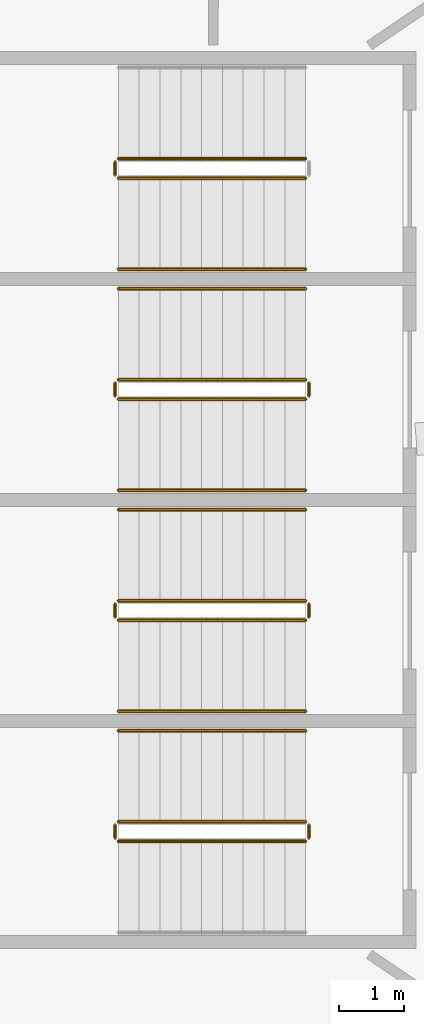
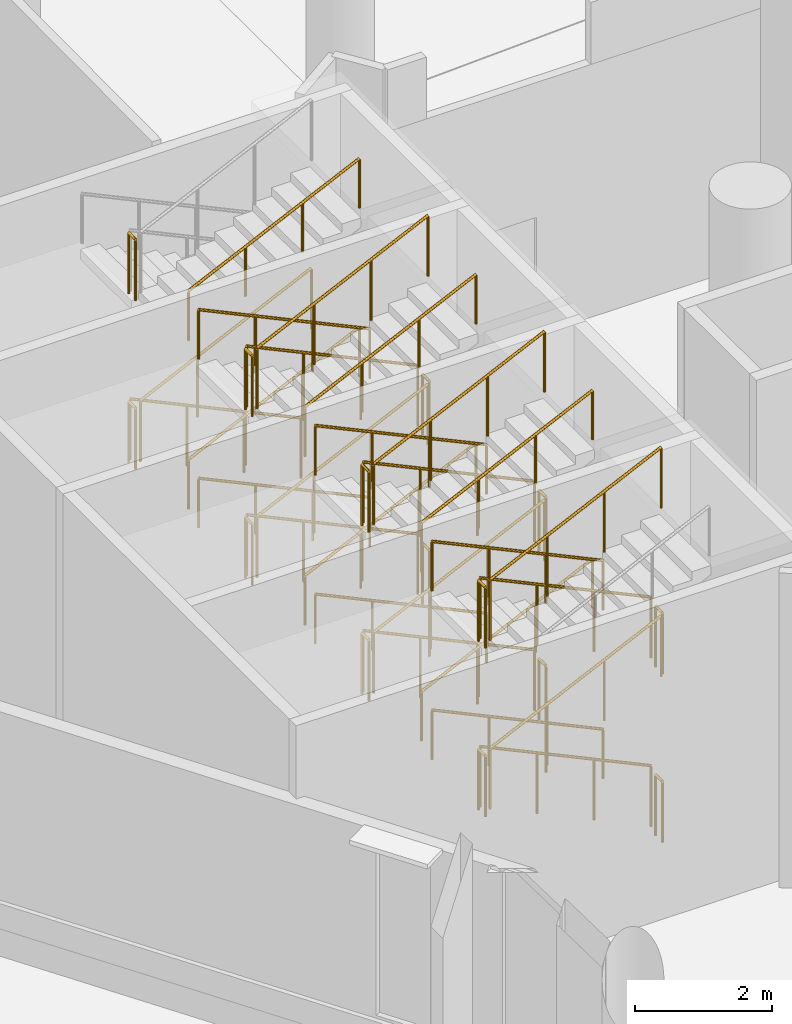
# One storey, part 121 of 173: 40 railings.
"""IFC4 building model written with IfcOpenShell, lengths in metres."""

from ifc_helpers import new_model, si_unit, direction, frame, origin, origin_2d, place, context, subcontext, project, spatial, circle, extrude, material, type_object, element, save


model = new_model("IFC4")

# Units and contexts
model_context = context("Model", 3, precision=1e-05, world=origin(), true_north=direction((0.0, 1.0)))
body_context = subcontext(model_context, "Body", "Model", "MODEL_VIEW")
ifc_project = project(units=[si_unit("LENGTHUNIT", "METRE"), si_unit("AREAUNIT", "SQUARE_METRE"), si_unit("VOLUMEUNIT", "CUBIC_METRE"), si_unit("PLANEANGLEUNIT", "RADIAN"), si_unit("MASSUNIT", "GRAM", prefix="KILO")], contexts=[model_context])

# Site, building, storey
site_placement = place(None, origin())
site = spatial("IfcSite", under=ifc_project, at=site_placement, CompositionType="ELEMENT")
building_placement = place(site_placement, origin())
building = spatial("IfcBuilding", under=site, at=building_placement, Name="Meseta Stadium", CompositionType="ELEMENT")
storey_placement = place(building_placement, frame((0.0, 0.0, 18.0)))
storey = spatial("IfcBuildingStorey", under=building, at=storey_placement, Name="L03", CompositionType="ELEMENT", Elevation=18.0)

# Railings
ifc_material_1 = material(Name="Steel S355", Category="steel")
railing_type_1 = type_object("IfcRailingType", Name="Stair guard 1100", PredefinedType="GUARDRAIL", material=ifc_material_1)
railing_1_placement = place(storey_placement, frame((-90.10009765625, -38.5, 0.14990234375)))
element("IfcRailing", 1, at=railing_1_placement, inside=storey, type_object=railing_type_1, Name="ST73 L03 guard 1", PredefinedType="GUARDRAIL", context=body_context, shape_type="SweptSolid", body=[
    extrude(circle(Radius=0.02392578125, at=origin_2d()), frame((0.0, 0.0, 1.076171875), z_axis=(-0.905440498372, 0.0, 0.424473207528), x_axis=(0.0, -1.0, 0.0)), (0.0, 0.0, 1.0), 3.1806640625),
    extrude(circle(Radius=0.02099609375, at=origin_2d()), origin(), (0.0, 0.0, 1.0), 1.052001953125),
    extrude(circle(Radius=0.02099609375, at=origin_2d()), frame((-0.9599609375, 0.0, 0.449951171875)), (0.0, 0.0, 1.0), 1.052001953125),
    extrude(circle(Radius=0.02099609375, at=origin_2d()), frame((-1.919921875, 0.0, 0.900146484375)), (0.0, 0.0, 1.0), 1.052001953125),
    extrude(circle(Radius=0.02099609375, at=origin_2d()), frame((-2.8798828125, 0.0, 1.35009765625)), (0.0, 0.0, 1.0), 1.052001953125),
])
railing_2_placement = place(storey_placement, frame((-93.030029296875, -38.550048828125, 1.5)))
element("IfcRailing", 2, at=railing_2_placement, inside=storey, type_object=railing_type_1, Name="ST73 L03 guard 2", PredefinedType="GUARDRAIL", context=body_context, shape_type="SweptSolid", body=[
    extrude(circle(Radius=0.02392578125, at=origin_2d()), frame((0.0, 0.0, 1.076171875), z_axis=(0.0, -1.0, 0.0), x_axis=(1.0, 0.0, 0.0)), (0.0, 0.0, 1.0), 0.199951171875),
    extrude(circle(Radius=0.02099609375, at=origin_2d()), origin(), (0.0, 0.0, 1.0), 1.052001953125),
    extrude(circle(Radius=0.02099609375, at=origin_2d()), frame((0.0, -0.199951171875, 0.0)), (0.0, 0.0, 1.0), 1.052001953125),
])
railing_3_placement = place(storey_placement, frame((-92.97998046875, -38.800048828125, 1.64990234375)))
element("IfcRailing", 3, at=railing_3_placement, inside=storey, type_object=railing_type_1, Name="ST73 L03 guard 3", PredefinedType="GUARDRAIL", context=body_context, shape_type="SweptSolid", body=[
    extrude(circle(Radius=0.02392578125, at=origin_2d()), frame((0.0, 0.0, 1.076171875), z_axis=(0.905440498372, 0.0, 0.424473207528), x_axis=(0.0, 1.0, 0.0)), (0.0, 0.0, 1.0), 3.1806640625),
    extrude(circle(Radius=0.02099609375, at=origin_2d()), origin(), (0.0, 0.0, 1.0), 1.052001953125),
    extrude(circle(Radius=0.02099609375, at=origin_2d()), frame((0.9599609375, 0.0, 0.449951171875)), (0.0, 0.0, 1.0), 1.052001953125),
    extrude(circle(Radius=0.02099609375, at=origin_2d()), frame((1.919921875, 0.0, 0.900146484375)), (0.0, 0.0, 1.0), 1.052001953125),
    extrude(circle(Radius=0.02099609375, at=origin_2d()), frame((2.8798828125, 0.0, 1.35009765625)), (0.0, 0.0, 1.0), 1.052001953125),
])
railing_4_placement = place(storey_placement, frame((-93.030029296875, -38.550048828125, 4.5)))
element("IfcRailing", 4, at=railing_4_placement, inside=storey, type_object=railing_type_1, Name="ST73 L03 guard 6", PredefinedType="GUARDRAIL", context=body_context, shape_type="SweptSolid", body=[
    extrude(circle(Radius=0.02392578125, at=origin_2d()), frame((0.0, 0.0, 1.076171875), z_axis=(0.0, -1.0, 0.0), x_axis=(1.0, 0.0, 0.0)), (0.0, 0.0, 1.0), 0.199951171875),
    extrude(circle(Radius=0.02099609375, at=origin_2d()), origin(), (0.0, 0.0, 1.0), 1.052001953125),
    extrude(circle(Radius=0.02099609375, at=origin_2d()), frame((0.0, -0.199951171875, 0.0)), (0.0, 0.0, 1.0), 1.052001953125),
])
railing_5_placement = place(storey_placement, frame((-90.10009765625, -41.89990234375, 0.14990234375)))
element("IfcRailing", 5, at=railing_5_placement, inside=storey, type_object=railing_type_1, Name="ST74 L03 guard 1", PredefinedType="GUARDRAIL", context=body_context, shape_type="SweptSolid", body=[
    extrude(circle(Radius=0.02392578125, at=origin_2d()), frame((0.0, 0.0, 1.076171875), z_axis=(-0.905440498372, 0.0, 0.424473207528), x_axis=(0.0, -1.0, 0.0)), (0.0, 0.0, 1.0), 3.1806640625),
    extrude(circle(Radius=0.02099609375, at=origin_2d()), origin(), (0.0, 0.0, 1.0), 1.052001953125),
    extrude(circle(Radius=0.02099609375, at=origin_2d()), frame((-0.9599609375, 0.0, 0.449951171875)), (0.0, 0.0, 1.0), 1.052001953125),
    extrude(circle(Radius=0.02099609375, at=origin_2d()), frame((-1.919921875, 0.0, 0.900146484375)), (0.0, 0.0, 1.0), 1.052001953125),
    extrude(circle(Radius=0.02099609375, at=origin_2d()), frame((-2.8798828125, 0.0, 1.35009765625)), (0.0, 0.0, 1.0), 1.052001953125),
])
railing_6_placement = place(storey_placement, frame((-93.030029296875, -41.949951171875, 1.5)))
element("IfcRailing", 6, at=railing_6_placement, inside=storey, type_object=railing_type_1, Name="ST74 L03 guard 2", PredefinedType="GUARDRAIL", context=body_context, shape_type="SweptSolid", body=[
    extrude(circle(Radius=0.02392578125, at=origin_2d()), frame((0.0, 0.0, 1.076171875), z_axis=(0.0, -1.0, 0.0), x_axis=(1.0, 0.0, 0.0)), (0.0, 0.0, 1.0), 0.199951171875),
    extrude(circle(Radius=0.02099609375, at=origin_2d()), origin(), (0.0, 0.0, 1.0), 1.052001953125),
    extrude(circle(Radius=0.02099609375, at=origin_2d()), frame((0.0, -0.199951171875, 0.0)), (0.0, 0.0, 1.0), 1.052001953125),
])
railing_7_placement = place(storey_placement, frame((-92.97998046875, -42.199951171875, 1.64990234375)))
element("IfcRailing", 7, at=railing_7_placement, inside=storey, type_object=railing_type_1, Name="ST74 L03 guard 3", PredefinedType="GUARDRAIL", context=body_context, shape_type="SweptSolid", body=[
    extrude(circle(Radius=0.02392578125, at=origin_2d()), frame((0.0, 0.0, 1.076171875), z_axis=(0.905440498372, 0.0, 0.424473207528), x_axis=(0.0, 1.0, 0.0)), (0.0, 0.0, 1.0), 3.1806640625),
    extrude(circle(Radius=0.02099609375, at=origin_2d()), origin(), (0.0, 0.0, 1.0), 1.052001953125),
    extrude(circle(Radius=0.02099609375, at=origin_2d()), frame((0.9599609375, 0.0, 0.449951171875)), (0.0, 0.0, 1.0), 1.052001953125),
    extrude(circle(Radius=0.02099609375, at=origin_2d()), frame((1.919921875, 0.0, 0.900146484375)), (0.0, 0.0, 1.0), 1.052001953125),
    extrude(circle(Radius=0.02099609375, at=origin_2d()), frame((2.8798828125, 0.0, 1.35009765625)), (0.0, 0.0, 1.0), 1.052001953125),
])
railing_8_placement = place(storey_placement, frame((-90.050048828125, -41.949951171875, 3.0)))
element("IfcRailing", 8, at=railing_8_placement, inside=storey, type_object=railing_type_1, Name="ST74 L03 guard 4", PredefinedType="GUARDRAIL", context=body_context, shape_type="SweptSolid", body=[
    extrude(circle(Radius=0.02392578125, at=origin_2d()), frame((0.0, 0.0, 1.076171875), z_axis=(0.0, -1.0, 0.0), x_axis=(1.0, 0.0, 0.0)), (0.0, 0.0, 1.0), 0.199951171875),
    extrude(circle(Radius=0.02099609375, at=origin_2d()), origin(), (0.0, 0.0, 1.0), 1.052001953125),
    extrude(circle(Radius=0.02099609375, at=origin_2d()), frame((0.0, -0.199951171875, 0.0)), (0.0, 0.0, 1.0), 1.052001953125),
])
railing_9_placement = place(storey_placement, frame((-90.10009765625, -41.89990234375, 3.14990234375)))
element("IfcRailing", 9, at=railing_9_placement, inside=storey, type_object=railing_type_1, Name="ST74 L03 guard 5", PredefinedType="GUARDRAIL", context=body_context, shape_type="SweptSolid", body=[
    extrude(circle(Radius=0.02392578125, at=origin_2d()), frame((0.0, 0.0, 1.076171875), z_axis=(-0.905440498372, 0.0, 0.424473207528), x_axis=(0.0, -1.0, 0.0)), (0.0, 0.0, 1.0), 3.1806640625),
    extrude(circle(Radius=0.02099609375, at=origin_2d()), origin(), (0.0, 0.0, 1.0), 1.052001953125),
    extrude(circle(Radius=0.02099609375, at=origin_2d()), frame((-0.9599609375, 0.0, 0.449951171875)), (0.0, 0.0, 1.0), 1.052001953125),
    extrude(circle(Radius=0.02099609375, at=origin_2d()), frame((-1.919921875, 0.0, 0.900146484375)), (0.0, 0.0, 1.0), 1.052001953125),
    extrude(circle(Radius=0.02099609375, at=origin_2d()), frame((-2.8798828125, 0.0, 1.35009765625)), (0.0, 0.0, 1.0), 1.052001953125),
])
railing_10_placement = place(storey_placement, frame((-93.030029296875, -41.949951171875, 4.5)))
element("IfcRailing", 10, at=railing_10_placement, inside=storey, type_object=railing_type_1, Name="ST74 L03 guard 6", PredefinedType="GUARDRAIL", context=body_context, shape_type="SweptSolid", body=[
    extrude(circle(Radius=0.02392578125, at=origin_2d()), frame((0.0, 0.0, 1.076171875), z_axis=(0.0, -1.0, 0.0), x_axis=(1.0, 0.0, 0.0)), (0.0, 0.0, 1.0), 0.199951171875),
    extrude(circle(Radius=0.02099609375, at=origin_2d()), origin(), (0.0, 0.0, 1.0), 1.052001953125),
    extrude(circle(Radius=0.02099609375, at=origin_2d()), frame((0.0, -0.199951171875, 0.0)), (0.0, 0.0, 1.0), 1.052001953125),
])
railing_11_placement = place(storey_placement, frame((-92.97998046875, -42.199951171875, 4.64990234375)))
element("IfcRailing", 11, at=railing_11_placement, inside=storey, type_object=railing_type_1, Name="ST74 L03 guard 7", PredefinedType="GUARDRAIL", context=body_context, shape_type="SweptSolid", body=[
    extrude(circle(Radius=0.02392578125, at=origin_2d()), frame((0.0, 0.0, 1.076171875), z_axis=(0.905440498372, 0.0, 0.424473207528), x_axis=(0.0, 1.0, 0.0)), (0.0, 0.0, 1.0), 3.1806640625),
    extrude(circle(Radius=0.02099609375, at=origin_2d()), origin(), (0.0, 0.0, 1.0), 1.052001953125),
    extrude(circle(Radius=0.02099609375, at=origin_2d()), frame((0.9599609375, 0.0, 0.449951171875)), (0.0, 0.0, 1.0), 1.052001953125),
    extrude(circle(Radius=0.02099609375, at=origin_2d()), frame((1.919921875, 0.0, 0.900146484375)), (0.0, 0.0, 1.0), 1.052001953125),
    extrude(circle(Radius=0.02099609375, at=origin_2d()), frame((2.8798828125, 0.0, 1.35009765625)), (0.0, 0.0, 1.0), 1.052001953125),
])
railing_12_placement = place(storey_placement, frame((-90.050048828125, -41.949951171875, 0.0)))
element("IfcRailing", 12, at=railing_12_placement, inside=storey, type_object=railing_type_1, Name="ST74 L03 guard 8", PredefinedType="GUARDRAIL", context=body_context, shape_type="SweptSolid", body=[
    extrude(circle(Radius=0.02392578125, at=origin_2d()), frame((0.0, 0.0, 1.076171875), z_axis=(0.0, -1.0, 0.0), x_axis=(1.0, 0.0, 0.0)), (0.0, 0.0, 1.0), 0.199951171875),
    extrude(circle(Radius=0.02099609375, at=origin_2d()), origin(), (0.0, 0.0, 1.0), 1.052001953125),
    extrude(circle(Radius=0.02099609375, at=origin_2d()), frame((0.0, -0.199951171875, 0.0)), (0.0, 0.0, 1.0), 1.052001953125),
])
railing_13_placement = place(storey_placement, frame((-90.10009765625, -45.300048828125, 0.14990234375)))
element("IfcRailing", 13, at=railing_13_placement, inside=storey, type_object=railing_type_1, Name="ST75 L03 guard 1", PredefinedType="GUARDRAIL", context=body_context, shape_type="SweptSolid", body=[
    extrude(circle(Radius=0.02392578125, at=origin_2d()), frame((0.0, 0.0, 1.076171875), z_axis=(-0.905440498372, 0.0, 0.424473207528), x_axis=(0.0, -1.0, 0.0)), (0.0, 0.0, 1.0), 3.1806640625),
    extrude(circle(Radius=0.02099609375, at=origin_2d()), origin(), (0.0, 0.0, 1.0), 1.052001953125),
    extrude(circle(Radius=0.02099609375, at=origin_2d()), frame((-0.9599609375, 0.0, 0.449951171875)), (0.0, 0.0, 1.0), 1.052001953125),
    extrude(circle(Radius=0.02099609375, at=origin_2d()), frame((-1.919921875, 0.0, 0.900146484375)), (0.0, 0.0, 1.0), 1.052001953125),
    extrude(circle(Radius=0.02099609375, at=origin_2d()), frame((-2.8798828125, 0.0, 1.35009765625)), (0.0, 0.0, 1.0), 1.052001953125),
])
railing_14_placement = place(storey_placement, frame((-93.030029296875, -45.35009765625, 1.5)))
element("IfcRailing", 14, at=railing_14_placement, inside=storey, type_object=railing_type_1, Name="ST75 L03 guard 2", PredefinedType="GUARDRAIL", context=body_context, shape_type="SweptSolid", body=[
    extrude(circle(Radius=0.02392578125, at=origin_2d()), frame((0.0, 0.0, 1.076171875), z_axis=(0.0, -1.0, 0.0), x_axis=(1.0, 0.0, 0.0)), (0.0, 0.0, 1.0), 0.199951171875),
    extrude(circle(Radius=0.02099609375, at=origin_2d()), origin(), (0.0, 0.0, 1.0), 1.052001953125),
    extrude(circle(Radius=0.02099609375, at=origin_2d()), frame((0.0, -0.199951171875, 0.0)), (0.0, 0.0, 1.0), 1.052001953125),
])
railing_15_placement = place(storey_placement, frame((-92.97998046875, -45.60009765625, 1.64990234375)))
element("IfcRailing", 15, at=railing_15_placement, inside=storey, type_object=railing_type_1, Name="ST75 L03 guard 3", PredefinedType="GUARDRAIL", context=body_context, shape_type="SweptSolid", body=[
    extrude(circle(Radius=0.02392578125, at=origin_2d()), frame((0.0, 0.0, 1.076171875), z_axis=(0.905440498372, 0.0, 0.424473207528), x_axis=(0.0, 1.0, 0.0)), (0.0, 0.0, 1.0), 3.1806640625),
    extrude(circle(Radius=0.02099609375, at=origin_2d()), origin(), (0.0, 0.0, 1.0), 1.052001953125),
    extrude(circle(Radius=0.02099609375, at=origin_2d()), frame((0.9599609375, 0.0, 0.449951171875)), (0.0, 0.0, 1.0), 1.052001953125),
    extrude(circle(Radius=0.02099609375, at=origin_2d()), frame((1.919921875, 0.0, 0.900146484375)), (0.0, 0.0, 1.0), 1.052001953125),
    extrude(circle(Radius=0.02099609375, at=origin_2d()), frame((2.8798828125, 0.0, 1.35009765625)), (0.0, 0.0, 1.0), 1.052001953125),
])
railing_16_placement = place(storey_placement, frame((-90.050048828125, -45.35009765625, 3.0)))
element("IfcRailing", 16, at=railing_16_placement, inside=storey, type_object=railing_type_1, Name="ST75 L03 guard 4", PredefinedType="GUARDRAIL", context=body_context, shape_type="SweptSolid", body=[
    extrude(circle(Radius=0.02392578125, at=origin_2d()), frame((0.0, 0.0, 1.076171875), z_axis=(0.0, -1.0, 0.0), x_axis=(1.0, 0.0, 0.0)), (0.0, 0.0, 1.0), 0.199951171875),
    extrude(circle(Radius=0.02099609375, at=origin_2d()), origin(), (0.0, 0.0, 1.0), 1.052001953125),
    extrude(circle(Radius=0.02099609375, at=origin_2d()), frame((0.0, -0.199951171875, 0.0)), (0.0, 0.0, 1.0), 1.052001953125),
])
railing_17_placement = place(storey_placement, frame((-90.10009765625, -45.300048828125, 3.14990234375)))
element("IfcRailing", 17, at=railing_17_placement, inside=storey, type_object=railing_type_1, Name="ST75 L03 guard 5", PredefinedType="GUARDRAIL", context=body_context, shape_type="SweptSolid", body=[
    extrude(circle(Radius=0.02392578125, at=origin_2d()), frame((0.0, 0.0, 1.076171875), z_axis=(-0.905440498372, 0.0, 0.424473207528), x_axis=(0.0, -1.0, 0.0)), (0.0, 0.0, 1.0), 3.1806640625),
    extrude(circle(Radius=0.02099609375, at=origin_2d()), origin(), (0.0, 0.0, 1.0), 1.052001953125),
    extrude(circle(Radius=0.02099609375, at=origin_2d()), frame((-0.9599609375, 0.0, 0.449951171875)), (0.0, 0.0, 1.0), 1.052001953125),
    extrude(circle(Radius=0.02099609375, at=origin_2d()), frame((-1.919921875, 0.0, 0.900146484375)), (0.0, 0.0, 1.0), 1.052001953125),
    extrude(circle(Radius=0.02099609375, at=origin_2d()), frame((-2.8798828125, 0.0, 1.35009765625)), (0.0, 0.0, 1.0), 1.052001953125),
])
railing_18_placement = place(storey_placement, frame((-93.030029296875, -45.35009765625, 4.5)))
element("IfcRailing", 18, at=railing_18_placement, inside=storey, type_object=railing_type_1, Name="ST75 L03 guard 6", PredefinedType="GUARDRAIL", context=body_context, shape_type="SweptSolid", body=[
    extrude(circle(Radius=0.02392578125, at=origin_2d()), frame((0.0, 0.0, 1.076171875), z_axis=(0.0, -1.0, 0.0), x_axis=(1.0, 0.0, 0.0)), (0.0, 0.0, 1.0), 0.199951171875),
    extrude(circle(Radius=0.02099609375, at=origin_2d()), origin(), (0.0, 0.0, 1.0), 1.052001953125),
    extrude(circle(Radius=0.02099609375, at=origin_2d()), frame((0.0, -0.199951171875, 0.0)), (0.0, 0.0, 1.0), 1.052001953125),
])
railing_19_placement = place(storey_placement, frame((-92.97998046875, -45.60009765625, 4.64990234375)))
element("IfcRailing", 19, at=railing_19_placement, inside=storey, type_object=railing_type_1, Name="ST75 L03 guard 7", PredefinedType="GUARDRAIL", context=body_context, shape_type="SweptSolid", body=[
    extrude(circle(Radius=0.02392578125, at=origin_2d()), frame((0.0, 0.0, 1.076171875), z_axis=(0.905440498372, 0.0, 0.424473207528), x_axis=(0.0, 1.0, 0.0)), (0.0, 0.0, 1.0), 3.1806640625),
    extrude(circle(Radius=0.02099609375, at=origin_2d()), origin(), (0.0, 0.0, 1.0), 1.052001953125),
    extrude(circle(Radius=0.02099609375, at=origin_2d()), frame((0.9599609375, 0.0, 0.449951171875)), (0.0, 0.0, 1.0), 1.052001953125),
    extrude(circle(Radius=0.02099609375, at=origin_2d()), frame((1.919921875, 0.0, 0.900146484375)), (0.0, 0.0, 1.0), 1.052001953125),
    extrude(circle(Radius=0.02099609375, at=origin_2d()), frame((2.8798828125, 0.0, 1.35009765625)), (0.0, 0.0, 1.0), 1.052001953125),
])
railing_20_placement = place(storey_placement, frame((-90.050048828125, -45.35009765625, 0.0)))
element("IfcRailing", 20, at=railing_20_placement, inside=storey, type_object=railing_type_1, Name="ST75 L03 guard 8", PredefinedType="GUARDRAIL", context=body_context, shape_type="SweptSolid", body=[
    extrude(circle(Radius=0.02392578125, at=origin_2d()), frame((0.0, 0.0, 1.076171875), z_axis=(0.0, -1.0, 0.0), x_axis=(1.0, 0.0, 0.0)), (0.0, 0.0, 1.0), 0.199951171875),
    extrude(circle(Radius=0.02099609375, at=origin_2d()), origin(), (0.0, 0.0, 1.0), 1.052001953125),
    extrude(circle(Radius=0.02099609375, at=origin_2d()), frame((0.0, -0.199951171875, 0.0)), (0.0, 0.0, 1.0), 1.052001953125),
])
railing_21_placement = place(storey_placement, frame((-90.10009765625, -48.699951171875, 0.14990234375)))
element("IfcRailing", 21, at=railing_21_placement, inside=storey, type_object=railing_type_1, Name="ST76 L03 guard 1", PredefinedType="GUARDRAIL", context=body_context, shape_type="SweptSolid", body=[
    extrude(circle(Radius=0.02392578125, at=origin_2d()), frame((0.0, 0.0, 1.076171875), z_axis=(-0.905440498372, 0.0, 0.424473207528), x_axis=(0.0, -1.0, 0.0)), (0.0, 0.0, 1.0), 3.1806640625),
    extrude(circle(Radius=0.02099609375, at=origin_2d()), origin(), (0.0, 0.0, 1.0), 1.052001953125),
    extrude(circle(Radius=0.02099609375, at=origin_2d()), frame((-0.9599609375, 0.0, 0.449951171875)), (0.0, 0.0, 1.0), 1.052001953125),
    extrude(circle(Radius=0.02099609375, at=origin_2d()), frame((-1.919921875, 0.0, 0.900146484375)), (0.0, 0.0, 1.0), 1.052001953125),
    extrude(circle(Radius=0.02099609375, at=origin_2d()), frame((-2.8798828125, 0.0, 1.35009765625)), (0.0, 0.0, 1.0), 1.052001953125),
])
railing_22_placement = place(storey_placement, frame((-93.030029296875, -48.75, 1.5)))
element("IfcRailing", 22, at=railing_22_placement, inside=storey, type_object=railing_type_1, Name="ST76 L03 guard 2", PredefinedType="GUARDRAIL", context=body_context, shape_type="SweptSolid", body=[
    extrude(circle(Radius=0.02392578125, at=origin_2d()), frame((0.0, 0.0, 1.076171875), z_axis=(0.0, -1.0, 0.0), x_axis=(1.0, 0.0, 0.0)), (0.0, 0.0, 1.0), 0.199951171875),
    extrude(circle(Radius=0.02099609375, at=origin_2d()), origin(), (0.0, 0.0, 1.0), 1.052001953125),
    extrude(circle(Radius=0.02099609375, at=origin_2d()), frame((0.0, -0.199951171875, 0.0)), (0.0, 0.0, 1.0), 1.052001953125),
])
railing_23_placement = place(storey_placement, frame((-92.97998046875, -49.0, 1.64990234375)))
element("IfcRailing", 23, at=railing_23_placement, inside=storey, type_object=railing_type_1, Name="ST76 L03 guard 3", PredefinedType="GUARDRAIL", context=body_context, shape_type="SweptSolid", body=[
    extrude(circle(Radius=0.02392578125, at=origin_2d()), frame((0.0, 0.0, 1.076171875), z_axis=(0.905440498372, 0.0, 0.424473207528), x_axis=(0.0, 1.0, 0.0)), (0.0, 0.0, 1.0), 3.1806640625),
    extrude(circle(Radius=0.02099609375, at=origin_2d()), origin(), (0.0, 0.0, 1.0), 1.052001953125),
    extrude(circle(Radius=0.02099609375, at=origin_2d()), frame((0.9599609375, 0.0, 0.449951171875)), (0.0, 0.0, 1.0), 1.052001953125),
    extrude(circle(Radius=0.02099609375, at=origin_2d()), frame((1.919921875, 0.0, 0.900146484375)), (0.0, 0.0, 1.0), 1.052001953125),
    extrude(circle(Radius=0.02099609375, at=origin_2d()), frame((2.8798828125, 0.0, 1.35009765625)), (0.0, 0.0, 1.0), 1.052001953125),
])
railing_24_placement = place(storey_placement, frame((-90.050048828125, -48.75, 3.0)))
element("IfcRailing", 24, at=railing_24_placement, inside=storey, type_object=railing_type_1, Name="ST76 L03 guard 4", PredefinedType="GUARDRAIL", context=body_context, shape_type="SweptSolid", body=[
    extrude(circle(Radius=0.02392578125, at=origin_2d()), frame((0.0, 0.0, 1.076171875), z_axis=(0.0, -1.0, 0.0), x_axis=(1.0, 0.0, 0.0)), (0.0, 0.0, 1.0), 0.199951171875),
    extrude(circle(Radius=0.02099609375, at=origin_2d()), origin(), (0.0, 0.0, 1.0), 1.052001953125),
    extrude(circle(Radius=0.02099609375, at=origin_2d()), frame((0.0, -0.199951171875, 0.0)), (0.0, 0.0, 1.0), 1.052001953125),
])
railing_25_placement = place(storey_placement, frame((-90.10009765625, -48.699951171875, 3.14990234375)))
element("IfcRailing", 25, at=railing_25_placement, inside=storey, type_object=railing_type_1, Name="ST76 L03 guard 5", PredefinedType="GUARDRAIL", context=body_context, shape_type="SweptSolid", body=[
    extrude(circle(Radius=0.02392578125, at=origin_2d()), frame((0.0, 0.0, 1.076171875), z_axis=(-0.905440498372, 0.0, 0.424473207528), x_axis=(0.0, -1.0, 0.0)), (0.0, 0.0, 1.0), 3.1806640625),
    extrude(circle(Radius=0.02099609375, at=origin_2d()), origin(), (0.0, 0.0, 1.0), 1.052001953125),
    extrude(circle(Radius=0.02099609375, at=origin_2d()), frame((-0.9599609375, 0.0, 0.449951171875)), (0.0, 0.0, 1.0), 1.052001953125),
    extrude(circle(Radius=0.02099609375, at=origin_2d()), frame((-1.919921875, 0.0, 0.900146484375)), (0.0, 0.0, 1.0), 1.052001953125),
    extrude(circle(Radius=0.02099609375, at=origin_2d()), frame((-2.8798828125, 0.0, 1.35009765625)), (0.0, 0.0, 1.0), 1.052001953125),
])
railing_26_placement = place(storey_placement, frame((-93.030029296875, -48.75, 4.5)))
element("IfcRailing", 26, at=railing_26_placement, inside=storey, type_object=railing_type_1, Name="ST76 L03 guard 6", PredefinedType="GUARDRAIL", context=body_context, shape_type="SweptSolid", body=[
    extrude(circle(Radius=0.02392578125, at=origin_2d()), frame((0.0, 0.0, 1.076171875), z_axis=(0.0, -1.0, 0.0), x_axis=(1.0, 0.0, 0.0)), (0.0, 0.0, 1.0), 0.199951171875),
    extrude(circle(Radius=0.02099609375, at=origin_2d()), origin(), (0.0, 0.0, 1.0), 1.052001953125),
    extrude(circle(Radius=0.02099609375, at=origin_2d()), frame((0.0, -0.199951171875, 0.0)), (0.0, 0.0, 1.0), 1.052001953125),
])
railing_27_placement = place(storey_placement, frame((-92.97998046875, -49.0, 4.64990234375)))
element("IfcRailing", 27, at=railing_27_placement, inside=storey, type_object=railing_type_1, Name="ST76 L03 guard 7", PredefinedType="GUARDRAIL", context=body_context, shape_type="SweptSolid", body=[
    extrude(circle(Radius=0.02392578125, at=origin_2d()), frame((0.0, 0.0, 1.076171875), z_axis=(0.905440498372, 0.0, 0.424473207528), x_axis=(0.0, 1.0, 0.0)), (0.0, 0.0, 1.0), 3.1806640625),
    extrude(circle(Radius=0.02099609375, at=origin_2d()), origin(), (0.0, 0.0, 1.0), 1.052001953125),
    extrude(circle(Radius=0.02099609375, at=origin_2d()), frame((0.9599609375, 0.0, 0.449951171875)), (0.0, 0.0, 1.0), 1.052001953125),
    extrude(circle(Radius=0.02099609375, at=origin_2d()), frame((1.919921875, 0.0, 0.900146484375)), (0.0, 0.0, 1.0), 1.052001953125),
    extrude(circle(Radius=0.02099609375, at=origin_2d()), frame((2.8798828125, 0.0, 1.35009765625)), (0.0, 0.0, 1.0), 1.052001953125),
])
railing_28_placement = place(storey_placement, frame((-90.050048828125, -48.75, 0.0)))
element("IfcRailing", 28, at=railing_28_placement, inside=storey, type_object=railing_type_1, Name="ST76 L03 guard 8", PredefinedType="GUARDRAIL", context=body_context, shape_type="SweptSolid", body=[
    extrude(circle(Radius=0.02392578125, at=origin_2d()), frame((0.0, 0.0, 1.076171875), z_axis=(0.0, -1.0, 0.0), x_axis=(1.0, 0.0, 0.0)), (0.0, 0.0, 1.0), 0.199951171875),
    extrude(circle(Radius=0.02099609375, at=origin_2d()), origin(), (0.0, 0.0, 1.0), 1.052001953125),
    extrude(circle(Radius=0.02099609375, at=origin_2d()), frame((0.0, -0.199951171875, 0.0)), (0.0, 0.0, 1.0), 1.052001953125),
])
ifc_material_2 = material(Name="Steel S355", Category="steel")
railing_type_2 = type_object("IfcRailingType", Name="Stair handrail 900", PredefinedType="HANDRAIL", material=ifc_material_2)
for number, where, name in (
    (29, (-92.97998046875, -40.199951171875, 1.64990234375), "ST73 L03 handrail 2"),
    (30, (-92.97998046875, -40.199951171875, 4.64990234375), "ST73 L03 handrail 4"),
):
    element("IfcRailing", number, at=place(storey_placement, frame(where)), inside=storey, type_object=railing_type_2, Name=name, PredefinedType="HANDRAIL", context=body_context, shape_type="SweptSolid", body=[
        extrude(circle(Radius=0.02392578125, at=origin_2d()), frame((0.0, 0.0, 0.8759765625), z_axis=(0.905440498372, 0.0, 0.424473207528), x_axis=(0.0, 1.0, 0.0)), (0.0, 0.0, 1.0), 3.1806640625),
        extrude(circle(Radius=0.02099609375, at=origin_2d()), origin(), (0.0, 0.0, 1.0), 0.851806640625),
        extrude(circle(Radius=0.02099609375, at=origin_2d()), frame((0.9599609375, 0.0, 0.449951171875)), (0.0, 0.0, 1.0), 0.851806640625),
        extrude(circle(Radius=0.02099609375, at=origin_2d()), frame((1.919921875, 0.0, 0.900146484375)), (0.0, 0.0, 1.0), 0.851806640625),
        extrude(circle(Radius=0.02099609375, at=origin_2d()), frame((2.8798828125, 0.0, 1.35009765625)), (0.0, 0.0, 1.0), 0.851806640625),
    ])
railing_29_placement = place(storey_placement, frame((-90.10009765625, -40.5, 0.14990234375)))
element("IfcRailing", 31, at=railing_29_placement, inside=storey, type_object=railing_type_2, Name="ST74 L03 handrail 1", PredefinedType="HANDRAIL", context=body_context, shape_type="SweptSolid", body=[
    extrude(circle(Radius=0.02392578125, at=origin_2d()), frame((0.0, 0.0, 0.8759765625), z_axis=(-0.905440498372, 0.0, 0.424473207528), x_axis=(0.0, -1.0, 0.0)), (0.0, 0.0, 1.0), 3.1806640625),
    extrude(circle(Radius=0.02099609375, at=origin_2d()), origin(), (0.0, 0.0, 1.0), 0.851806640625),
    extrude(circle(Radius=0.02099609375, at=origin_2d()), frame((-0.9599609375, 0.0, 0.449951171875)), (0.0, 0.0, 1.0), 0.851806640625),
    extrude(circle(Radius=0.02099609375, at=origin_2d()), frame((-1.919921875, 0.0, 0.900146484375)), (0.0, 0.0, 1.0), 0.851806640625),
    extrude(circle(Radius=0.02099609375, at=origin_2d()), frame((-2.8798828125, 0.0, 1.35009765625)), (0.0, 0.0, 1.0), 0.851806640625),
])
railing_30_placement = place(storey_placement, frame((-92.97998046875, -43.60009765625, 1.64990234375)))
element("IfcRailing", 32, at=railing_30_placement, inside=storey, type_object=railing_type_2, Name="ST74 L03 handrail 2", PredefinedType="HANDRAIL", context=body_context, shape_type="SweptSolid", body=[
    extrude(circle(Radius=0.02392578125, at=origin_2d()), frame((0.0, 0.0, 0.8759765625), z_axis=(0.905440498372, 0.0, 0.424473207528), x_axis=(0.0, 1.0, 0.0)), (0.0, 0.0, 1.0), 3.1806640625),
    extrude(circle(Radius=0.02099609375, at=origin_2d()), origin(), (0.0, 0.0, 1.0), 0.851806640625),
    extrude(circle(Radius=0.02099609375, at=origin_2d()), frame((0.9599609375, 0.0, 0.449951171875)), (0.0, 0.0, 1.0), 0.851806640625),
    extrude(circle(Radius=0.02099609375, at=origin_2d()), frame((1.919921875, 0.0, 0.900146484375)), (0.0, 0.0, 1.0), 0.851806640625),
    extrude(circle(Radius=0.02099609375, at=origin_2d()), frame((2.8798828125, 0.0, 1.35009765625)), (0.0, 0.0, 1.0), 0.851806640625),
])
railing_31_placement = place(storey_placement, frame((-90.10009765625, -40.5, 3.14990234375)))
element("IfcRailing", 33, at=railing_31_placement, inside=storey, type_object=railing_type_2, Name="ST74 L03 handrail 3", PredefinedType="HANDRAIL", context=body_context, shape_type="SweptSolid", body=[
    extrude(circle(Radius=0.02392578125, at=origin_2d()), frame((0.0, 0.0, 0.8759765625), z_axis=(-0.905440498372, 0.0, 0.424473207528), x_axis=(0.0, -1.0, 0.0)), (0.0, 0.0, 1.0), 3.1806640625),
    extrude(circle(Radius=0.02099609375, at=origin_2d()), origin(), (0.0, 0.0, 1.0), 0.851806640625),
    extrude(circle(Radius=0.02099609375, at=origin_2d()), frame((-0.9599609375, 0.0, 0.449951171875)), (0.0, 0.0, 1.0), 0.851806640625),
    extrude(circle(Radius=0.02099609375, at=origin_2d()), frame((-1.919921875, 0.0, 0.900146484375)), (0.0, 0.0, 1.0), 0.851806640625),
    extrude(circle(Radius=0.02099609375, at=origin_2d()), frame((-2.8798828125, 0.0, 1.35009765625)), (0.0, 0.0, 1.0), 0.851806640625),
])
railing_32_placement = place(storey_placement, frame((-92.97998046875, -43.60009765625, 4.64990234375)))
element("IfcRailing", 34, at=railing_32_placement, inside=storey, type_object=railing_type_2, Name="ST74 L03 handrail 4", PredefinedType="HANDRAIL", context=body_context, shape_type="SweptSolid", body=[
    extrude(circle(Radius=0.02392578125, at=origin_2d()), frame((0.0, 0.0, 0.8759765625), z_axis=(0.905440498372, 0.0, 0.424473207528), x_axis=(0.0, 1.0, 0.0)), (0.0, 0.0, 1.0), 3.1806640625),
    extrude(circle(Radius=0.02099609375, at=origin_2d()), origin(), (0.0, 0.0, 1.0), 0.851806640625),
    extrude(circle(Radius=0.02099609375, at=origin_2d()), frame((0.9599609375, 0.0, 0.449951171875)), (0.0, 0.0, 1.0), 0.851806640625),
    extrude(circle(Radius=0.02099609375, at=origin_2d()), frame((1.919921875, 0.0, 0.900146484375)), (0.0, 0.0, 1.0), 0.851806640625),
    extrude(circle(Radius=0.02099609375, at=origin_2d()), frame((2.8798828125, 0.0, 1.35009765625)), (0.0, 0.0, 1.0), 0.851806640625),
])
railing_33_placement = place(storey_placement, frame((-90.10009765625, -43.89990234375, 0.14990234375)))
element("IfcRailing", 35, at=railing_33_placement, inside=storey, type_object=railing_type_2, Name="ST75 L03 handrail 1", PredefinedType="HANDRAIL", context=body_context, shape_type="SweptSolid", body=[
    extrude(circle(Radius=0.02392578125, at=origin_2d()), frame((0.0, 0.0, 0.8759765625), z_axis=(-0.905440498372, 0.0, 0.424473207528), x_axis=(0.0, -1.0, 0.0)), (0.0, 0.0, 1.0), 3.1806640625),
    extrude(circle(Radius=0.02099609375, at=origin_2d()), origin(), (0.0, 0.0, 1.0), 0.851806640625),
    extrude(circle(Radius=0.02099609375, at=origin_2d()), frame((-0.9599609375, 0.0, 0.449951171875)), (0.0, 0.0, 1.0), 0.851806640625),
    extrude(circle(Radius=0.02099609375, at=origin_2d()), frame((-1.919921875, 0.0, 0.900146484375)), (0.0, 0.0, 1.0), 0.851806640625),
    extrude(circle(Radius=0.02099609375, at=origin_2d()), frame((-2.8798828125, 0.0, 1.35009765625)), (0.0, 0.0, 1.0), 0.851806640625),
])
railing_34_placement = place(storey_placement, frame((-92.97998046875, -47.0, 1.64990234375)))
element("IfcRailing", 36, at=railing_34_placement, inside=storey, type_object=railing_type_2, Name="ST75 L03 handrail 2", PredefinedType="HANDRAIL", context=body_context, shape_type="SweptSolid", body=[
    extrude(circle(Radius=0.02392578125, at=origin_2d()), frame((0.0, 0.0, 0.8759765625), z_axis=(0.905440498372, 0.0, 0.424473207528), x_axis=(0.0, 1.0, 0.0)), (0.0, 0.0, 1.0), 3.1806640625),
    extrude(circle(Radius=0.02099609375, at=origin_2d()), origin(), (0.0, 0.0, 1.0), 0.851806640625),
    extrude(circle(Radius=0.02099609375, at=origin_2d()), frame((0.9599609375, 0.0, 0.449951171875)), (0.0, 0.0, 1.0), 0.851806640625),
    extrude(circle(Radius=0.02099609375, at=origin_2d()), frame((1.919921875, 0.0, 0.900146484375)), (0.0, 0.0, 1.0), 0.851806640625),
    extrude(circle(Radius=0.02099609375, at=origin_2d()), frame((2.8798828125, 0.0, 1.35009765625)), (0.0, 0.0, 1.0), 0.851806640625),
])
railing_35_placement = place(storey_placement, frame((-90.10009765625, -43.89990234375, 3.14990234375)))
element("IfcRailing", 37, at=railing_35_placement, inside=storey, type_object=railing_type_2, Name="ST75 L03 handrail 3", PredefinedType="HANDRAIL", context=body_context, shape_type="SweptSolid", body=[
    extrude(circle(Radius=0.02392578125, at=origin_2d()), frame((0.0, 0.0, 0.8759765625), z_axis=(-0.905440498372, 0.0, 0.424473207528), x_axis=(0.0, -1.0, 0.0)), (0.0, 0.0, 1.0), 3.1806640625),
    extrude(circle(Radius=0.02099609375, at=origin_2d()), origin(), (0.0, 0.0, 1.0), 0.851806640625),
    extrude(circle(Radius=0.02099609375, at=origin_2d()), frame((-0.9599609375, 0.0, 0.449951171875)), (0.0, 0.0, 1.0), 0.851806640625),
    extrude(circle(Radius=0.02099609375, at=origin_2d()), frame((-1.919921875, 0.0, 0.900146484375)), (0.0, 0.0, 1.0), 0.851806640625),
    extrude(circle(Radius=0.02099609375, at=origin_2d()), frame((-2.8798828125, 0.0, 1.35009765625)), (0.0, 0.0, 1.0), 0.851806640625),
])
railing_36_placement = place(storey_placement, frame((-92.97998046875, -47.0, 4.64990234375)))
element("IfcRailing", 38, at=railing_36_placement, inside=storey, type_object=railing_type_2, Name="ST75 L03 handrail 4", PredefinedType="HANDRAIL", context=body_context, shape_type="SweptSolid", body=[
    extrude(circle(Radius=0.02392578125, at=origin_2d()), frame((0.0, 0.0, 0.8759765625), z_axis=(0.905440498372, 0.0, 0.424473207528), x_axis=(0.0, 1.0, 0.0)), (0.0, 0.0, 1.0), 3.1806640625),
    extrude(circle(Radius=0.02099609375, at=origin_2d()), origin(), (0.0, 0.0, 1.0), 0.851806640625),
    extrude(circle(Radius=0.02099609375, at=origin_2d()), frame((0.9599609375, 0.0, 0.449951171875)), (0.0, 0.0, 1.0), 0.851806640625),
    extrude(circle(Radius=0.02099609375, at=origin_2d()), frame((1.919921875, 0.0, 0.900146484375)), (0.0, 0.0, 1.0), 0.851806640625),
    extrude(circle(Radius=0.02099609375, at=origin_2d()), frame((2.8798828125, 0.0, 1.35009765625)), (0.0, 0.0, 1.0), 0.851806640625),
])
for number, where, name in (
    (39, (-90.10009765625, -47.300048828125, 0.14990234375), "ST76 L03 handrail 1"),
    (40, (-90.10009765625, -47.300048828125, 3.14990234375), "ST76 L03 handrail 3"),
):
    element("IfcRailing", number, at=place(storey_placement, frame(where)), inside=storey, type_object=railing_type_2, Name=name, PredefinedType="HANDRAIL", context=body_context, shape_type="SweptSolid", body=[
        extrude(circle(Radius=0.02392578125, at=origin_2d()), frame((0.0, 0.0, 0.8759765625), z_axis=(-0.905440498372, 0.0, 0.424473207528), x_axis=(0.0, -1.0, 0.0)), (0.0, 0.0, 1.0), 3.1806640625),
        extrude(circle(Radius=0.02099609375, at=origin_2d()), origin(), (0.0, 0.0, 1.0), 0.851806640625),
        extrude(circle(Radius=0.02099609375, at=origin_2d()), frame((-0.9599609375, 0.0, 0.449951171875)), (0.0, 0.0, 1.0), 0.851806640625),
        extrude(circle(Radius=0.02099609375, at=origin_2d()), frame((-1.919921875, 0.0, 0.900146484375)), (0.0, 0.0, 1.0), 0.851806640625),
        extrude(circle(Radius=0.02099609375, at=origin_2d()), frame((-2.8798828125, 0.0, 1.35009765625)), (0.0, 0.0, 1.0), 0.851806640625),
    ])

save(model, "model.ifc")
